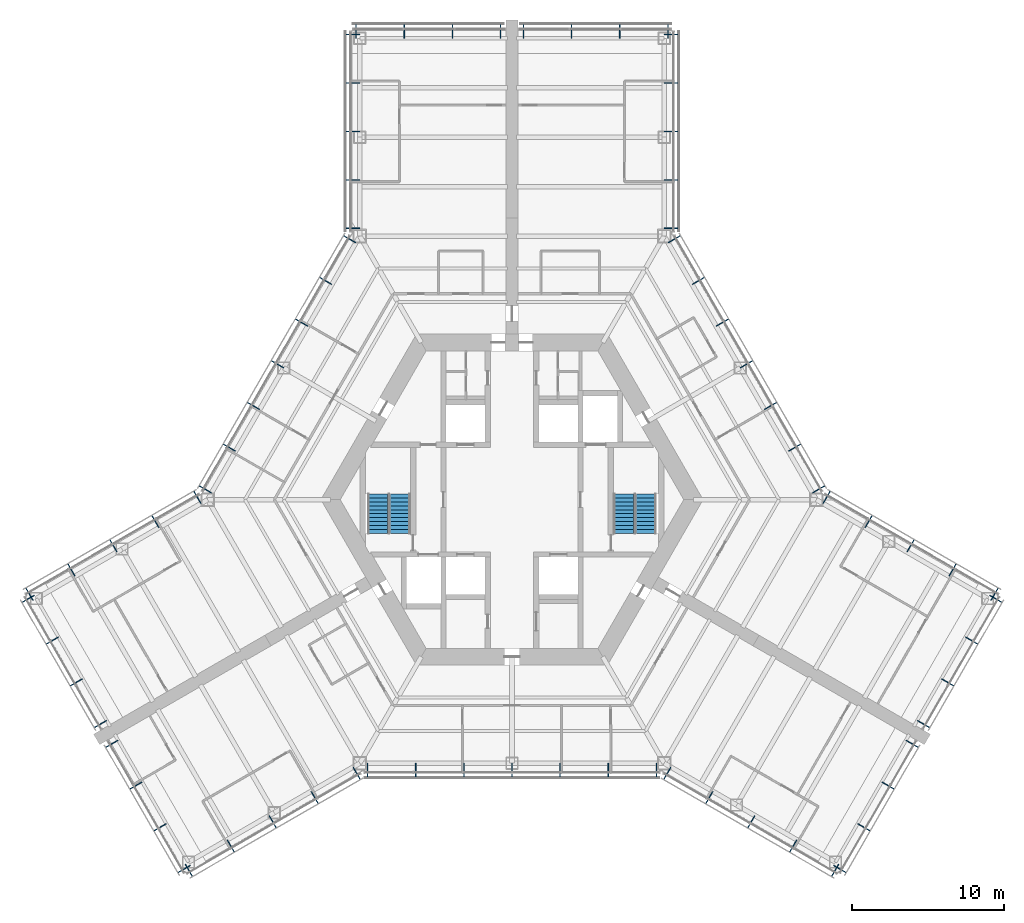
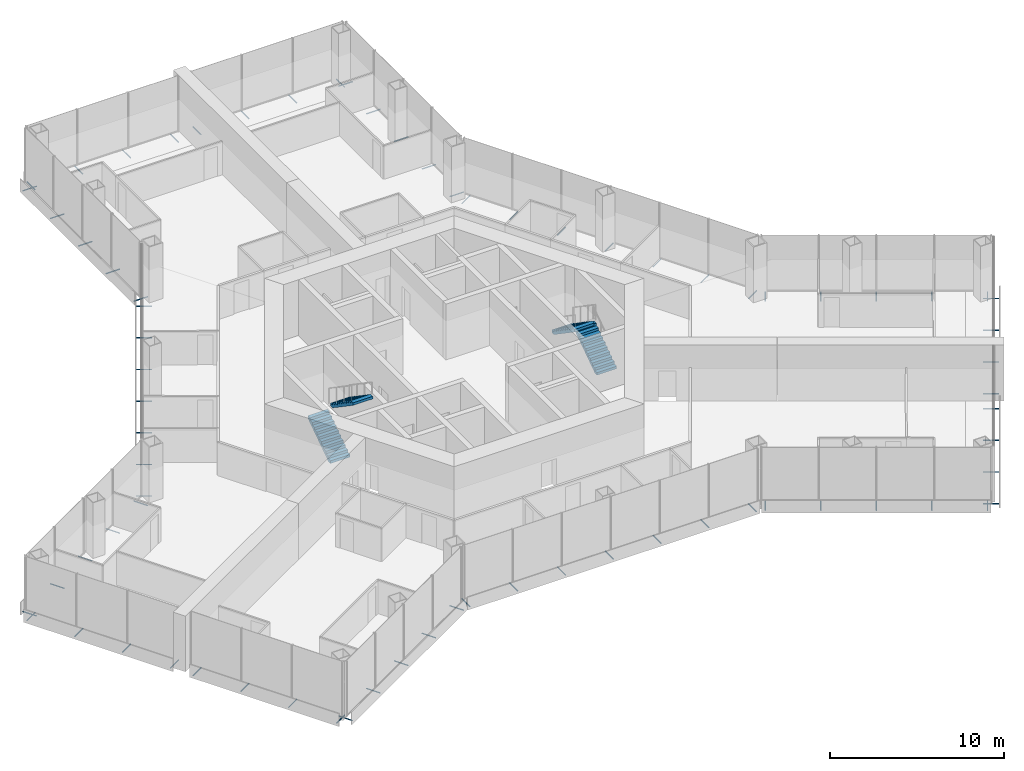
# One storey, part 16 of 18: 75 discrete accessories, 4 stair flights, 2 elements without a shape of their own.
"""IFC4 building model written with IfcOpenShell, lengths in metres."""

from ifc_helpers import new_model, si_unit, direction, frame, origin, origin_2d, place, context, subcontext, project, spatial, polyline, hollow_circle, outline, extrude, material, material_profile, profile_set, type_object, element, aggregate, save


model = new_model("IFC4")

# Units and contexts
model_context = context("Model", 3, precision=1e-05, world=origin(), true_north=direction((0.0, 1.0)))
body_context = subcontext(model_context, "Body", "Model", "MODEL_VIEW")
ifc_project = project(units=[si_unit("LENGTHUNIT", "METRE"), si_unit("AREAUNIT", "SQUARE_METRE"), si_unit("VOLUMEUNIT", "CUBIC_METRE"), si_unit("PLANEANGLEUNIT", "RADIAN"), si_unit("MASSUNIT", "GRAM", prefix="KILO")], contexts=[model_context])

# Site, building, storey
site_placement = place(None, origin())
site = spatial("IfcSite", under=ifc_project, at=site_placement, CompositionType="ELEMENT")
building_placement = place(site_placement, origin())
building = spatial("IfcBuilding", under=site, at=building_placement, Name="Kasaneha Research Tower", CompositionType="ELEMENT")
storey_placement = place(building_placement, frame((0.0, 0.0, 119.699951171875)))
storey = spatial("IfcBuildingStorey", under=building, at=storey_placement, Name="L30", CompositionType="ELEMENT", Elevation=119.699951171875)

# Stair, stair flights
ifc_material_1 = material(Name="Concrete Fc24", Category="concrete")
stair_type = type_object("IfcStairType", Name="Half-turn stair 22 risers", PredefinedType="HALF_TURN_STAIR", material=ifc_material_1)
stair_1_placement = place(storey_placement, origin())
stair_1 = element("IfcStair", 1, at=stair_1_placement, inside=storey, type_object=stair_type, Name="Stair 1 L30", PredefinedType="HALF_TURN_STAIR")
ifc_material_2 = material(Name="Concrete Fc24", Category="concrete")
stair_flight_type = type_object("IfcStairFlightType", Name="Stair flight 11 risers 177.3", PredefinedType="STRAIGHT", material=ifc_material_2)
stair_flight_1_placement = place(storey_placement, frame((8.824951171875, -2.22509765625, 0.0), z_axis=(0.0, 0.0, 1.0), x_axis=(0.0, 1.0, 0.0)))
stair_flight_1 = element("IfcStairFlight", 2, at=stair_flight_1_placement, type_object=stair_flight_type, Name="ST1-22R flight 1", NumberOfRisers=11, NumberOfTreads=10, PredefinedType="STRAIGHT", RiserHeight=0.177272727, TreadLength=0.26, context=body_context, shape_type="SweptSolid", body=[
    extrude(outline(polyline([(0.0, 0.0), (0.0, 0.17724609375), (0.260009765625, 0.17724609375), (0.260009765625, 0.3544921875), (0.52001953125, 0.3544921875), (0.52001953125, 0.53173828125), (0.780029296875, 0.53173828125), (0.780029296875, 0.708984375), (1.0400390625, 0.708984375), (1.0400390625, 0.886474609375), (1.300048828125, 0.886474609375), (1.300048828125, 1.063720703125), (1.56005859375, 1.063720703125), (1.56005859375, 1.240966796875), (1.820068359375, 1.240966796875), (1.820068359375, 1.418212890625), (2.080078125, 1.418212890625), (2.080078125, 1.595458984375), (2.340087890625, 1.595458984375), (2.340087890625, 1.772705078125), (2.60009765625, 1.772705078125), (2.60009765625, 1.949951171875), (2.60009765625, 1.59130859375), (0.26611328125, 0.0), (0.0, 0.0)])), frame((0.0, 0.64990234375, 0.0), z_axis=(0.0, -1.0, 0.0), x_axis=(1.0, 0.0, 0.0)), (0.0, 0.0, 1.0), 1.300048828125),
])
stair_flight_2_placement = place(storey_placement, frame((7.324951171875, 0.375, 1.949951171875), z_axis=(0.0, 0.0, 1.0), x_axis=(0.0, -1.0, 0.0)))
stair_flight_2 = element("IfcStairFlight", 3, at=stair_flight_2_placement, type_object=stair_flight_type, Name="ST1-22R flight 2", NumberOfRisers=11, NumberOfTreads=10, PredefinedType="STRAIGHT", RiserHeight=0.177272727, TreadLength=0.26, context=body_context, shape_type="SweptSolid", body=[
    extrude(outline(polyline([(0.0, 0.0), (0.0, 0.17724609375), (0.260009765625, 0.17724609375), (0.260009765625, 0.3544921875), (0.52001953125, 0.3544921875), (0.52001953125, 0.53173828125), (0.780029296875, 0.53173828125), (0.780029296875, 0.708984375), (1.0400390625, 0.708984375), (1.0400390625, 0.886474609375), (1.300048828125, 0.886474609375), (1.300048828125, 1.063720703125), (1.56005859375, 1.063720703125), (1.56005859375, 1.240966796875), (1.820068359375, 1.240966796875), (1.820068359375, 1.418212890625), (2.080078125, 1.418212890625), (2.080078125, 1.595458984375), (2.340087890625, 1.595458984375), (2.340087890625, 1.772705078125), (2.60009765625, 1.772705078125), (2.60009765625, 1.949951171875), (2.60009765625, 1.59130859375), (0.26611328125, 0.0), (0.0, 0.0)])), frame((0.0, 0.64990234375, 0.0), z_axis=(0.0, -1.0, 0.0), x_axis=(1.0, 0.0, 0.0)), (0.0, 0.0, 1.0), 1.300048828125),
])
aggregate(stair_1, [stair_flight_1, stair_flight_2])

stair_2_placement = place(storey_placement, origin())
stair_2 = element("IfcStair", 4, at=stair_2_placement, inside=storey, type_object=stair_type, Name="Stair 2 L30", PredefinedType="HALF_TURN_STAIR")
stair_flight_3_placement = place(storey_placement, frame((-8.824951171875, -2.22509765625, 0.0), z_axis=(0.0, 0.0, 1.0), x_axis=(0.0, 1.0, 0.0)))
stair_flight_3 = element("IfcStairFlight", 5, at=stair_flight_3_placement, type_object=stair_flight_type, Name="ST2-22R flight 1", NumberOfRisers=11, NumberOfTreads=10, PredefinedType="STRAIGHT", RiserHeight=0.177272727, TreadLength=0.26, context=body_context, shape_type="SweptSolid", body=[
    extrude(outline(polyline([(0.0, 0.0), (0.0, 0.17724609375), (0.260009765625, 0.17724609375), (0.260009765625, 0.3544921875), (0.52001953125, 0.3544921875), (0.52001953125, 0.53173828125), (0.780029296875, 0.53173828125), (0.780029296875, 0.708984375), (1.0400390625, 0.708984375), (1.0400390625, 0.886474609375), (1.300048828125, 0.886474609375), (1.300048828125, 1.063720703125), (1.56005859375, 1.063720703125), (1.56005859375, 1.240966796875), (1.820068359375, 1.240966796875), (1.820068359375, 1.418212890625), (2.080078125, 1.418212890625), (2.080078125, 1.595458984375), (2.340087890625, 1.595458984375), (2.340087890625, 1.772705078125), (2.60009765625, 1.772705078125), (2.60009765625, 1.949951171875), (2.60009765625, 1.59130859375), (0.26611328125, 0.0), (0.0, 0.0)])), frame((0.0, 0.64990234375, 0.0), z_axis=(0.0, -1.0, 0.0), x_axis=(1.0, 0.0, 0.0)), (0.0, 0.0, 1.0), 1.300048828125),
])
stair_flight_4_placement = place(storey_placement, frame((-7.324951171875, 0.375, 1.949951171875), z_axis=(0.0, 0.0, 1.0), x_axis=(0.0, -1.0, 0.0)))
stair_flight_4 = element("IfcStairFlight", 6, at=stair_flight_4_placement, type_object=stair_flight_type, Name="ST2-22R flight 2", NumberOfRisers=11, NumberOfTreads=10, PredefinedType="STRAIGHT", RiserHeight=0.177272727, TreadLength=0.26, context=body_context, shape_type="SweptSolid", body=[
    extrude(outline(polyline([(0.0, 0.0), (0.0, 0.17724609375), (0.260009765625, 0.17724609375), (0.260009765625, 0.3544921875), (0.52001953125, 0.3544921875), (0.52001953125, 0.53173828125), (0.780029296875, 0.53173828125), (0.780029296875, 0.708984375), (1.0400390625, 0.708984375), (1.0400390625, 0.886474609375), (1.300048828125, 0.886474609375), (1.300048828125, 1.063720703125), (1.56005859375, 1.063720703125), (1.56005859375, 1.240966796875), (1.820068359375, 1.240966796875), (1.820068359375, 1.418212890625), (2.080078125, 1.418212890625), (2.080078125, 1.595458984375), (2.340087890625, 1.595458984375), (2.340087890625, 1.772705078125), (2.60009765625, 1.772705078125), (2.60009765625, 1.949951171875), (2.60009765625, 1.59130859375), (0.26611328125, 0.0), (0.0, 0.0)])), frame((0.0, 0.64990234375, 0.0), z_axis=(0.0, -1.0, 0.0), x_axis=(1.0, 0.0, 0.0)), (0.0, 0.0, 1.0), 1.300048828125),
])
aggregate(stair_2, [stair_flight_3, stair_flight_4])

# Discrete accessories
ifc_material_3 = material(Name="Steel STK400", Category="steel")
ifc_material_profile = material_profile(ifc_material_3, hollow_circle(Radius=0.0380859375, WallThickness=0.00390625, at=origin_2d()), Name="CHS-76.3x4.0")
ifc_profile_set = profile_set([ifc_material_profile], Name="Steel STK400")
discrete_accessory_type = type_object("IfcDiscreteAccessoryType", Name="Screen bracket CHS-76.3x4.0", PredefinedType="BRACKET", material=ifc_profile_set)
discrete_accessory_1_placement = place(storey_placement, frame((-21.474853515625, -23.945556640625, -0.300048828125), z_axis=(0.500021113727, -0.866013213425, 0.0), x_axis=(0.866013213425, 0.500021113727, 0.0)))
element("IfcDiscreteAccessory", 7, at=discrete_accessory_1_placement, inside=storey, type_object=discrete_accessory_type, Name="Screen bracket 1", PredefinedType="BRACKET", context=body_context, shape_type="SweptSolid", body=[
    extrude(hollow_circle(Radius=0.0380859375, WallThickness=0.00390625, at=origin_2d()), origin(), (0.0, 0.0, 1.0), 0.919921875),
])
discrete_accessory_2_placement = place(storey_placement, frame((-18.716796875, -22.35302734375, -0.300048828125), z_axis=(0.500105201737, -0.865964657013, 0.0), x_axis=(0.865964657013, 0.500105201737, 0.0)))
element("IfcDiscreteAccessory", 8, at=discrete_accessory_2_placement, inside=storey, type_object=discrete_accessory_type, Name="Screen bracket 2", PredefinedType="BRACKET", context=body_context, shape_type="SweptSolid", body=[
    extrude(hollow_circle(Radius=0.0380859375, WallThickness=0.00390625, at=origin_2d()), origin(), (0.0, 0.0, 1.0), 0.920166015625),
])
discrete_accessory_3_placement = place(storey_placement, frame((-15.95849609375, -20.7607421875, -0.300048828125), z_axis=(0.500021113727, -0.866013213425, 0.0), x_axis=(0.866013213425, 0.500021113727, 0.0)))
element("IfcDiscreteAccessory", 9, at=discrete_accessory_3_placement, inside=storey, type_object=discrete_accessory_type, Name="Screen bracket 3", PredefinedType="BRACKET", context=body_context, shape_type="SweptSolid", body=[
    extrude(hollow_circle(Radius=0.0380859375, WallThickness=0.00390625, at=origin_2d()), origin(), (0.0, 0.0, 1.0), 0.919921875),
])
discrete_accessory_4_placement = place(storey_placement, frame((-13.200439453125, -19.168212890625, -0.300048828125), z_axis=(0.499906209203, -0.866079547155, 0.0), x_axis=(0.866079547155, 0.499906209203, 0.0)))
element("IfcDiscreteAccessory", 10, at=discrete_accessory_4_placement, inside=storey, type_object=discrete_accessory_type, Name="Screen bracket 4", PredefinedType="BRACKET", context=body_context, shape_type="SweptSolid", body=[
    extrude(hollow_circle(Radius=0.0380859375, WallThickness=0.00390625, at=origin_2d()), origin(), (0.0, 0.0, 1.0), 0.920166015625),
])
for number, where, z_axis, x_axis, name in (
    (11, (-10.4423828125, -17.575927734375, -0.300048828125), (0.500021113727, -0.866013213425, 0.0), (0.866013213425, 0.500021113727, 0.0), "Screen bracket 5"),
    (12, (-9.4892578125, -17.320556640625, -0.300048828125), (0.0, -1.0, 0.0), (1.0, 0.0, 0.0), "Screen bracket 1"),
    (13, (-6.326171875, -17.320556640625, -0.300048828125), (0.0, -1.0, 0.0), (1.0, 0.0, 0.0), "Screen bracket 2"),
    (14, (-3.1630859375, -17.320556640625, -0.300048828125), (0.0, -1.0, 0.0), (1.0, 0.0, 0.0), "Screen bracket 3"),
    (15, (0.0, -17.320556640625, -0.300048828125), (0.0, -1.0, 0.0), (1.0, 0.0, 0.0), "Screen bracket 4"),
    (16, (3.1630859375, -17.320556640625, -0.300048828125), (0.0, -1.0, 0.0), (1.0, 0.0, 0.0), "Screen bracket 5"),
    (17, (6.326171875, -17.320556640625, -0.300048828125), (0.0, -1.0, 0.0), (1.0, 0.0, 0.0), "Screen bracket 6"),
    (18, (9.4892578125, -17.320556640625, -0.300048828125), (0.0, -1.0, 0.0), (1.0, 0.0, 0.0), "Screen bracket 7"),
    (19, (10.4423828125, -17.575927734375, -0.300048828125), (-0.500021113727, -0.866013213425, 0.0), (0.866013213425, -0.500021113727, 0.0), "Screen bracket 1"),
):
    element("IfcDiscreteAccessory", number, at=place(storey_placement, frame(where, z_axis=z_axis, x_axis=x_axis)), inside=storey, type_object=discrete_accessory_type, Name=name, PredefinedType="BRACKET", context=body_context, shape_type="SweptSolid", body=[
        extrude(hollow_circle(Radius=0.0380859375, WallThickness=0.00390625, at=origin_2d()), origin(), (0.0, 0.0, 1.0), 0.919921875),
    ])
discrete_accessory_5_placement = place(storey_placement, frame((13.200439453125, -19.168212890625, -0.300048828125), z_axis=(-0.499906209203, -0.866079547155, 0.0), x_axis=(0.866079547155, -0.499906209203, 0.0)))
element("IfcDiscreteAccessory", 20, at=discrete_accessory_5_placement, inside=storey, type_object=discrete_accessory_type, Name="Screen bracket 2", PredefinedType="BRACKET", context=body_context, shape_type="SweptSolid", body=[
    extrude(hollow_circle(Radius=0.0380859375, WallThickness=0.00390625, at=origin_2d()), origin(), (0.0, 0.0, 1.0), 0.920166015625),
])
discrete_accessory_6_placement = place(storey_placement, frame((15.95849609375, -20.7607421875, -0.300048828125), z_axis=(-0.500021113727, -0.866013213425, 0.0), x_axis=(0.866013213425, -0.500021113727, 0.0)))
element("IfcDiscreteAccessory", 21, at=discrete_accessory_6_placement, inside=storey, type_object=discrete_accessory_type, Name="Screen bracket 3", PredefinedType="BRACKET", context=body_context, shape_type="SweptSolid", body=[
    extrude(hollow_circle(Radius=0.0380859375, WallThickness=0.00390625, at=origin_2d()), origin(), (0.0, 0.0, 1.0), 0.919921875),
])
discrete_accessory_7_placement = place(storey_placement, frame((18.716796875, -22.35302734375, -0.300048828125), z_axis=(-0.500105201737, -0.865964657013, 0.0), x_axis=(0.865964657013, -0.500105201737, 0.0)))
element("IfcDiscreteAccessory", 22, at=discrete_accessory_7_placement, inside=storey, type_object=discrete_accessory_type, Name="Screen bracket 4", PredefinedType="BRACKET", context=body_context, shape_type="SweptSolid", body=[
    extrude(hollow_circle(Radius=0.0380859375, WallThickness=0.00390625, at=origin_2d()), origin(), (0.0, 0.0, 1.0), 0.920166015625),
])
discrete_accessory_8_placement = place(storey_placement, frame((21.474853515625, -23.945556640625, -0.300048828125), z_axis=(-0.500021113727, -0.866013213425, 0.0), x_axis=(0.866013213425, -0.500021113727, 0.0)))
element("IfcDiscreteAccessory", 23, at=discrete_accessory_8_placement, inside=storey, type_object=discrete_accessory_type, Name="Screen bracket 5", PredefinedType="BRACKET", context=body_context, shape_type="SweptSolid", body=[
    extrude(hollow_circle(Radius=0.0380859375, WallThickness=0.00390625, at=origin_2d()), origin(), (0.0, 0.0, 1.0), 0.919921875),
])
for number, where, z_axis, x_axis, name in (
    (24, (21.13330078125, -24.037109375, -0.300048828125), (0.866079547155, -0.499906209203, 0.0), (0.499906209203, 0.866079547155, 0.0), "Screen bracket 1"),
    (25, (22.716552734375, -21.294677734375, -0.300048828125), (0.866079547155, -0.499906209203, 0.0), (0.499906209203, 0.866079547155, 0.0), "Screen bracket 2"),
):
    element("IfcDiscreteAccessory", number, at=place(storey_placement, frame(where, z_axis=z_axis, x_axis=x_axis)), inside=storey, type_object=discrete_accessory_type, Name=name, PredefinedType="BRACKET", context=body_context, shape_type="SweptSolid", body=[
        extrude(hollow_circle(Radius=0.0380859375, WallThickness=0.00390625, at=origin_2d()), origin(), (0.0, 0.0, 1.0), 0.920166015625),
    ])
discrete_accessory_9_placement = place(storey_placement, frame((24.300048828125, -18.55224609375, -0.300048828125), z_axis=(0.866013213425, -0.500021113727, 0.0), x_axis=(0.500021113727, 0.866013213425, 0.0)))
element("IfcDiscreteAccessory", 26, at=discrete_accessory_9_placement, inside=storey, type_object=discrete_accessory_type, Name="Screen bracket 3", PredefinedType="BRACKET", context=body_context, shape_type="SweptSolid", body=[
    extrude(hollow_circle(Radius=0.0380859375, WallThickness=0.00390625, at=origin_2d()), origin(), (0.0, 0.0, 1.0), 0.919921875),
])
for number, where, z_axis, x_axis, name in (
    (27, (25.88330078125, -15.809814453125, -0.300048828125), (0.866079547155, -0.499906209203, 0.0), (0.499906209203, 0.866079547155, 0.0), "Screen bracket 4"),
    (28, (26.63330078125, -14.5107421875, -0.300048828125), (0.866079547155, -0.499906209203, 0.0), (0.499906209203, 0.866079547155, 0.0), "Screen bracket 1"),
    (29, (28.216552734375, -11.768310546875, -0.300048828125), (0.866079547155, -0.499906209203, 0.0), (0.499906209203, 0.866079547155, 0.0), "Screen bracket 2"),
):
    element("IfcDiscreteAccessory", number, at=place(storey_placement, frame(where, z_axis=z_axis, x_axis=x_axis)), inside=storey, type_object=discrete_accessory_type, Name=name, PredefinedType="BRACKET", context=body_context, shape_type="SweptSolid", body=[
        extrude(hollow_circle(Radius=0.0380859375, WallThickness=0.00390625, at=origin_2d()), origin(), (0.0, 0.0, 1.0), 0.920166015625),
    ])
discrete_accessory_10_placement = place(storey_placement, frame((29.800048828125, -9.02587890625, -0.300048828125), z_axis=(0.866013213425, -0.500021113727, 0.0), x_axis=(0.500021113727, 0.866013213425, 0.0)))
element("IfcDiscreteAccessory", 30, at=discrete_accessory_10_placement, inside=storey, type_object=discrete_accessory_type, Name="Screen bracket 3", PredefinedType="BRACKET", context=body_context, shape_type="SweptSolid", body=[
    extrude(hollow_circle(Radius=0.0380859375, WallThickness=0.00390625, at=origin_2d()), origin(), (0.0, 0.0, 1.0), 0.919921875),
])
discrete_accessory_11_placement = place(storey_placement, frame((31.38330078125, -6.283447265625, -0.300048828125), z_axis=(0.866079547155, -0.499906209203, 0.0), x_axis=(0.499906209203, 0.866079547155, 0.0)))
element("IfcDiscreteAccessory", 31, at=discrete_accessory_11_placement, inside=storey, type_object=discrete_accessory_type, Name="Screen bracket 4", PredefinedType="BRACKET", context=body_context, shape_type="SweptSolid", body=[
    extrude(hollow_circle(Radius=0.0380859375, WallThickness=0.00390625, at=origin_2d()), origin(), (0.0, 0.0, 1.0), 0.920166015625),
])
discrete_accessory_12_placement = place(storey_placement, frame((31.474853515625, -6.625, -0.300048828125), z_axis=(0.500021113727, 0.866013213425, 0.0), x_axis=(-0.866013213425, 0.500021113727, 0.0)))
element("IfcDiscreteAccessory", 32, at=discrete_accessory_12_placement, inside=storey, type_object=discrete_accessory_type, Name="Screen bracket 1", PredefinedType="BRACKET", context=body_context, shape_type="SweptSolid", body=[
    extrude(hollow_circle(Radius=0.0380859375, WallThickness=0.00390625, at=origin_2d()), origin(), (0.0, 0.0, 1.0), 0.919921875),
])
discrete_accessory_13_placement = place(storey_placement, frame((28.716796875, -5.03271484375, -0.300048828125), z_axis=(0.499906209203, 0.866079547155, 0.0), x_axis=(-0.866079547155, 0.499906209203, 0.0)))
element("IfcDiscreteAccessory", 33, at=discrete_accessory_13_placement, inside=storey, type_object=discrete_accessory_type, Name="Screen bracket 2", PredefinedType="BRACKET", context=body_context, shape_type="SweptSolid", body=[
    extrude(hollow_circle(Radius=0.0380859375, WallThickness=0.00390625, at=origin_2d()), origin(), (0.0, 0.0, 1.0), 0.920166015625),
])
discrete_accessory_14_placement = place(storey_placement, frame((25.95849609375, -3.440185546875, -0.300048828125), z_axis=(0.500220121494, 0.865898279276, 0.0), x_axis=(-0.865898279276, 0.500220121494, 0.0)))
element("IfcDiscreteAccessory", 34, at=discrete_accessory_14_placement, inside=storey, type_object=discrete_accessory_type, Name="Screen bracket 3", PredefinedType="BRACKET", context=body_context, shape_type="SweptSolid", body=[
    extrude(hollow_circle(Radius=0.0380859375, WallThickness=0.00390625, at=origin_2d()), origin(), (0.0, 0.0, 1.0), 0.919921875),
])
discrete_accessory_15_placement = place(storey_placement, frame((23.200439453125, -1.847900390625, -0.300048828125), z_axis=(0.499906209203, 0.866079547155, 0.0), x_axis=(-0.866079547155, 0.499906209203, 0.0)))
element("IfcDiscreteAccessory", 35, at=discrete_accessory_15_placement, inside=storey, type_object=discrete_accessory_type, Name="Screen bracket 4", PredefinedType="BRACKET", context=body_context, shape_type="SweptSolid", body=[
    extrude(hollow_circle(Radius=0.0380859375, WallThickness=0.00390625, at=origin_2d()), origin(), (0.0, 0.0, 1.0), 0.920166015625),
])
for number, where, z_axis, x_axis, name in (
    (36, (20.4423828125, -0.25537109375, -0.300048828125), (0.500021113727, 0.866013213425, 0.0), (-0.866013213425, 0.500021113727, 0.0), "Screen bracket 5"),
    (37, (19.74462890625, 0.4423828125, -0.300048828125), (0.866013213425, 0.500021113727, 0.0), (-0.500021113727, 0.866013213425, 0.0), "Screen bracket 1"),
    (38, (18.1630859375, 3.181640625, -0.300048828125), (0.866013213425, 0.500021113727, 0.0), (-0.500021113727, 0.866013213425, 0.0), "Screen bracket 2"),
    (39, (16.58154296875, 5.9208984375, -0.300048828125), (0.866013213425, 0.500021113727, 0.0), (-0.500021113727, 0.866013213425, 0.0), "Screen bracket 3"),
    (40, (15.0, 8.66015625, -0.300048828125), (0.865898279276, 0.500220121494, 0.0), (-0.500220121494, 0.865898279276, 0.0), "Screen bracket 4"),
    (41, (13.41845703125, 11.399658203125, -0.300048828125), (0.866013213425, 0.500021113727, 0.0), (-0.500021113727, 0.866013213425, 0.0), "Screen bracket 5"),
    (42, (11.8369140625, 14.138916015625, -0.300048828125), (0.866013213425, 0.500021113727, 0.0), (-0.500021113727, 0.866013213425, 0.0), "Screen bracket 6"),
):
    element("IfcDiscreteAccessory", number, at=place(storey_placement, frame(where, z_axis=z_axis, x_axis=x_axis)), inside=storey, type_object=discrete_accessory_type, Name=name, PredefinedType="BRACKET", context=body_context, shape_type="SweptSolid", body=[
        extrude(hollow_circle(Radius=0.0380859375, WallThickness=0.00390625, at=origin_2d()), origin(), (0.0, 0.0, 1.0), 0.919921875),
    ])
discrete_accessory_16_placement = place(storey_placement, frame((10.25537109375, 16.878173828125, -0.300048828125), z_axis=(0.866079547155, 0.499906209203, 0.0), x_axis=(-0.499906209203, 0.866079547155, 0.0)))
element("IfcDiscreteAccessory", 43, at=discrete_accessory_16_placement, inside=storey, type_object=discrete_accessory_type, Name="Screen bracket 7", PredefinedType="BRACKET", context=body_context, shape_type="SweptSolid", body=[
    extrude(hollow_circle(Radius=0.0380859375, WallThickness=0.00390625, at=origin_2d()), origin(), (0.0, 0.0, 1.0), 0.920166015625),
])
for number, where, z_axis, x_axis, name in (
    (44, (10.0, 17.831298828125, -0.300048828125), (1.0, 0.0, 0.0), (0.0, 1.0, 0.0), "Screen bracket 1"),
    (45, (10.0, 21.01611328125, -0.300048828125), (1.0, 0.0, 0.0), (0.0, 1.0, 0.0), "Screen bracket 2"),
    (46, (10.0, 24.200927734375, -0.300048828125), (1.0, 0.0, 0.0), (0.0, 1.0, 0.0), "Screen bracket 3"),
    (47, (10.0, 27.3857421875, -0.300048828125), (1.0, 0.0, 0.0), (0.0, 1.0, 0.0), "Screen bracket 4"),
    (48, (10.0, 30.570556640625, -0.300048828125), (1.0, 0.0, 0.0), (0.0, 1.0, 0.0), "Screen bracket 5"),
    (49, (10.25, 30.320556640625, -0.300048828125), (0.0, 1.0, 0.0), (-1.0, 0.0, 0.0), "Screen bracket 1"),
    (50, (7.083251953125, 30.320556640625, -0.300048828125), (0.0, 1.0, 0.0), (-1.0, 0.0, 0.0), "Screen bracket 2"),
    (51, (3.916748046875, 30.320556640625, -0.300048828125), (0.0, 1.0, 0.0), (-1.0, 0.0, 0.0), "Screen bracket 3"),
    (52, (0.75, 30.320556640625, -0.300048828125), (0.0, 1.0, 0.0), (-1.0, 0.0, 0.0), "Screen bracket 4"),
    (53, (-0.75, 30.320556640625, -0.300048828125), (0.0, 1.0, 0.0), (-1.0, 0.0, 0.0), "Screen bracket 1"),
    (54, (-3.916748046875, 30.320556640625, -0.300048828125), (0.0, 1.0, 0.0), (-1.0, 0.0, 0.0), "Screen bracket 2"),
    (55, (-7.083251953125, 30.320556640625, -0.300048828125), (0.0, 1.0, 0.0), (-1.0, 0.0, 0.0), "Screen bracket 3"),
    (56, (-10.25, 30.320556640625, -0.300048828125), (0.0, 1.0, 0.0), (-1.0, 0.0, 0.0), "Screen bracket 4"),
    (57, (-10.0, 30.570556640625, -0.300048828125), (-1.0, 0.0, 0.0), (0.0, -1.0, 0.0), "Screen bracket 1"),
    (58, (-10.0, 27.3857421875, -0.300048828125), (-1.0, 0.0, 0.0), (0.0, -1.0, 0.0), "Screen bracket 2"),
    (59, (-10.0, 24.200927734375, -0.300048828125), (-1.0, 0.0, 0.0), (0.0, -1.0, 0.0), "Screen bracket 3"),
    (60, (-10.0, 21.01611328125, -0.300048828125), (-1.0, 0.0, 0.0), (0.0, -1.0, 0.0), "Screen bracket 4"),
    (61, (-10.0, 17.831298828125, -0.300048828125), (-1.0, 0.0, 0.0), (0.0, -1.0, 0.0), "Screen bracket 5"),
):
    element("IfcDiscreteAccessory", number, at=place(storey_placement, frame(where, z_axis=z_axis, x_axis=x_axis)), inside=storey, type_object=discrete_accessory_type, Name=name, PredefinedType="BRACKET", context=body_context, shape_type="SweptSolid", body=[
        extrude(hollow_circle(Radius=0.0380859375, WallThickness=0.00390625, at=origin_2d()), origin(), (0.0, 0.0, 1.0), 0.919921875),
    ])
discrete_accessory_17_placement = place(storey_placement, frame((-10.25537109375, 16.878173828125, -0.300048828125), z_axis=(-0.866079547155, 0.499906209203, 0.0), x_axis=(-0.499906209203, -0.866079547155, 0.0)))
element("IfcDiscreteAccessory", 62, at=discrete_accessory_17_placement, inside=storey, type_object=discrete_accessory_type, Name="Screen bracket 1", PredefinedType="BRACKET", context=body_context, shape_type="SweptSolid", body=[
    extrude(hollow_circle(Radius=0.0380859375, WallThickness=0.00390625, at=origin_2d()), origin(), (0.0, 0.0, 1.0), 0.920166015625),
])
for number, where, z_axis, x_axis, name in (
    (63, (-11.8369140625, 14.138916015625, -0.300048828125), (-0.866013213425, 0.500021113727, 0.0), (-0.500021113727, -0.866013213425, 0.0), "Screen bracket 2"),
    (64, (-13.41845703125, 11.399658203125, -0.300048828125), (-0.866013213425, 0.500021113727, 0.0), (-0.500021113727, -0.866013213425, 0.0), "Screen bracket 3"),
    (65, (-15.0, 8.66015625, -0.300048828125), (-0.865898279276, 0.500220121494, 0.0), (-0.500220121494, -0.865898279276, 0.0), "Screen bracket 4"),
    (66, (-16.58154296875, 5.9208984375, -0.300048828125), (-0.866013213425, 0.500021113727, 0.0), (-0.500021113727, -0.866013213425, 0.0), "Screen bracket 5"),
    (67, (-18.1630859375, 3.181640625, -0.300048828125), (-0.866013213425, 0.500021113727, 0.0), (-0.500021113727, -0.866013213425, 0.0), "Screen bracket 6"),
    (68, (-19.74462890625, 0.4423828125, -0.300048828125), (-0.866013213425, 0.500021113727, 0.0), (-0.500021113727, -0.866013213425, 0.0), "Screen bracket 7"),
    (69, (-20.4423828125, -0.25537109375, -0.300048828125), (-0.500021113727, 0.866013213425, 0.0), (-0.866013213425, -0.500021113727, 0.0), "Screen bracket 1"),
):
    element("IfcDiscreteAccessory", number, at=place(storey_placement, frame(where, z_axis=z_axis, x_axis=x_axis)), inside=storey, type_object=discrete_accessory_type, Name=name, PredefinedType="BRACKET", context=body_context, shape_type="SweptSolid", body=[
        extrude(hollow_circle(Radius=0.0380859375, WallThickness=0.00390625, at=origin_2d()), origin(), (0.0, 0.0, 1.0), 0.919921875),
    ])
discrete_accessory_18_placement = place(storey_placement, frame((-23.200439453125, -1.847900390625, -0.300048828125), z_axis=(-0.499906209203, 0.866079547155, 0.0), x_axis=(-0.866079547155, -0.499906209203, 0.0)))
element("IfcDiscreteAccessory", 70, at=discrete_accessory_18_placement, inside=storey, type_object=discrete_accessory_type, Name="Screen bracket 2", PredefinedType="BRACKET", context=body_context, shape_type="SweptSolid", body=[
    extrude(hollow_circle(Radius=0.0380859375, WallThickness=0.00390625, at=origin_2d()), origin(), (0.0, 0.0, 1.0), 0.920166015625),
])
discrete_accessory_19_placement = place(storey_placement, frame((-25.95849609375, -3.440185546875, -0.300048828125), z_axis=(-0.500220121494, 0.865898279276, 0.0), x_axis=(-0.865898279276, -0.500220121494, 0.0)))
element("IfcDiscreteAccessory", 71, at=discrete_accessory_19_placement, inside=storey, type_object=discrete_accessory_type, Name="Screen bracket 3", PredefinedType="BRACKET", context=body_context, shape_type="SweptSolid", body=[
    extrude(hollow_circle(Radius=0.0380859375, WallThickness=0.00390625, at=origin_2d()), origin(), (0.0, 0.0, 1.0), 0.919921875),
])
discrete_accessory_20_placement = place(storey_placement, frame((-28.716796875, -5.03271484375, -0.300048828125), z_axis=(-0.499906209203, 0.866079547155, 0.0), x_axis=(-0.866079547155, -0.499906209203, 0.0)))
element("IfcDiscreteAccessory", 72, at=discrete_accessory_20_placement, inside=storey, type_object=discrete_accessory_type, Name="Screen bracket 4", PredefinedType="BRACKET", context=body_context, shape_type="SweptSolid", body=[
    extrude(hollow_circle(Radius=0.0380859375, WallThickness=0.00390625, at=origin_2d()), origin(), (0.0, 0.0, 1.0), 0.920166015625),
])
discrete_accessory_21_placement = place(storey_placement, frame((-31.474853515625, -6.625, -0.300048828125), z_axis=(-0.500021113727, 0.866013213425, 0.0), x_axis=(-0.866013213425, -0.500021113727, 0.0)))
element("IfcDiscreteAccessory", 73, at=discrete_accessory_21_placement, inside=storey, type_object=discrete_accessory_type, Name="Screen bracket 5", PredefinedType="BRACKET", context=body_context, shape_type="SweptSolid", body=[
    extrude(hollow_circle(Radius=0.0380859375, WallThickness=0.00390625, at=origin_2d()), origin(), (0.0, 0.0, 1.0), 0.919921875),
])
discrete_accessory_22_placement = place(storey_placement, frame((-31.38330078125, -6.283447265625, -0.300048828125), z_axis=(-0.866079547155, -0.499906209203, 0.0), x_axis=(0.499906209203, -0.866079547155, 0.0)))
element("IfcDiscreteAccessory", 74, at=discrete_accessory_22_placement, inside=storey, type_object=discrete_accessory_type, Name="Screen bracket 1", PredefinedType="BRACKET", context=body_context, shape_type="SweptSolid", body=[
    extrude(hollow_circle(Radius=0.0380859375, WallThickness=0.00390625, at=origin_2d()), origin(), (0.0, 0.0, 1.0), 0.920166015625),
])
discrete_accessory_23_placement = place(storey_placement, frame((-29.800048828125, -9.02587890625, -0.300048828125), z_axis=(-0.866013213425, -0.500021113727, 0.0), x_axis=(0.500021113727, -0.866013213425, 0.0)))
element("IfcDiscreteAccessory", 75, at=discrete_accessory_23_placement, inside=storey, type_object=discrete_accessory_type, Name="Screen bracket 2", PredefinedType="BRACKET", context=body_context, shape_type="SweptSolid", body=[
    extrude(hollow_circle(Radius=0.0380859375, WallThickness=0.00390625, at=origin_2d()), origin(), (0.0, 0.0, 1.0), 0.919921875),
])
for number, where, z_axis, x_axis, name in (
    (76, (-28.216552734375, -11.768310546875, -0.300048828125), (-0.866079547155, -0.499906209203, 0.0), (0.499906209203, -0.866079547155, 0.0), "Screen bracket 3"),
    (77, (-26.63330078125, -14.5107421875, -0.300048828125), (-0.866079547155, -0.499906209203, 0.0), (0.499906209203, -0.866079547155, 0.0), "Screen bracket 4"),
    (78, (-25.88330078125, -15.809814453125, -0.300048828125), (-0.866079547155, -0.499906209203, 0.0), (0.499906209203, -0.866079547155, 0.0), "Screen bracket 1"),
):
    element("IfcDiscreteAccessory", number, at=place(storey_placement, frame(where, z_axis=z_axis, x_axis=x_axis)), inside=storey, type_object=discrete_accessory_type, Name=name, PredefinedType="BRACKET", context=body_context, shape_type="SweptSolid", body=[
        extrude(hollow_circle(Radius=0.0380859375, WallThickness=0.00390625, at=origin_2d()), origin(), (0.0, 0.0, 1.0), 0.920166015625),
    ])
discrete_accessory_24_placement = place(storey_placement, frame((-24.300048828125, -18.55224609375, -0.300048828125), z_axis=(-0.866013213425, -0.500021113727, 0.0), x_axis=(0.500021113727, -0.866013213425, 0.0)))
element("IfcDiscreteAccessory", 79, at=discrete_accessory_24_placement, inside=storey, type_object=discrete_accessory_type, Name="Screen bracket 2", PredefinedType="BRACKET", context=body_context, shape_type="SweptSolid", body=[
    extrude(hollow_circle(Radius=0.0380859375, WallThickness=0.00390625, at=origin_2d()), origin(), (0.0, 0.0, 1.0), 0.919921875),
])
for number, where, z_axis, x_axis, name in (
    (80, (-22.716552734375, -21.294677734375, -0.300048828125), (-0.866079547155, -0.499906209203, 0.0), (0.499906209203, -0.866079547155, 0.0), "Screen bracket 3"),
    (81, (-21.13330078125, -24.037109375, -0.300048828125), (-0.866079547155, -0.499906209203, 0.0), (0.499906209203, -0.866079547155, 0.0), "Screen bracket 4"),
):
    element("IfcDiscreteAccessory", number, at=place(storey_placement, frame(where, z_axis=z_axis, x_axis=x_axis)), inside=storey, type_object=discrete_accessory_type, Name=name, PredefinedType="BRACKET", context=body_context, shape_type="SweptSolid", body=[
        extrude(hollow_circle(Radius=0.0380859375, WallThickness=0.00390625, at=origin_2d()), origin(), (0.0, 0.0, 1.0), 0.920166015625),
    ])

save(model, "model.ifc")
